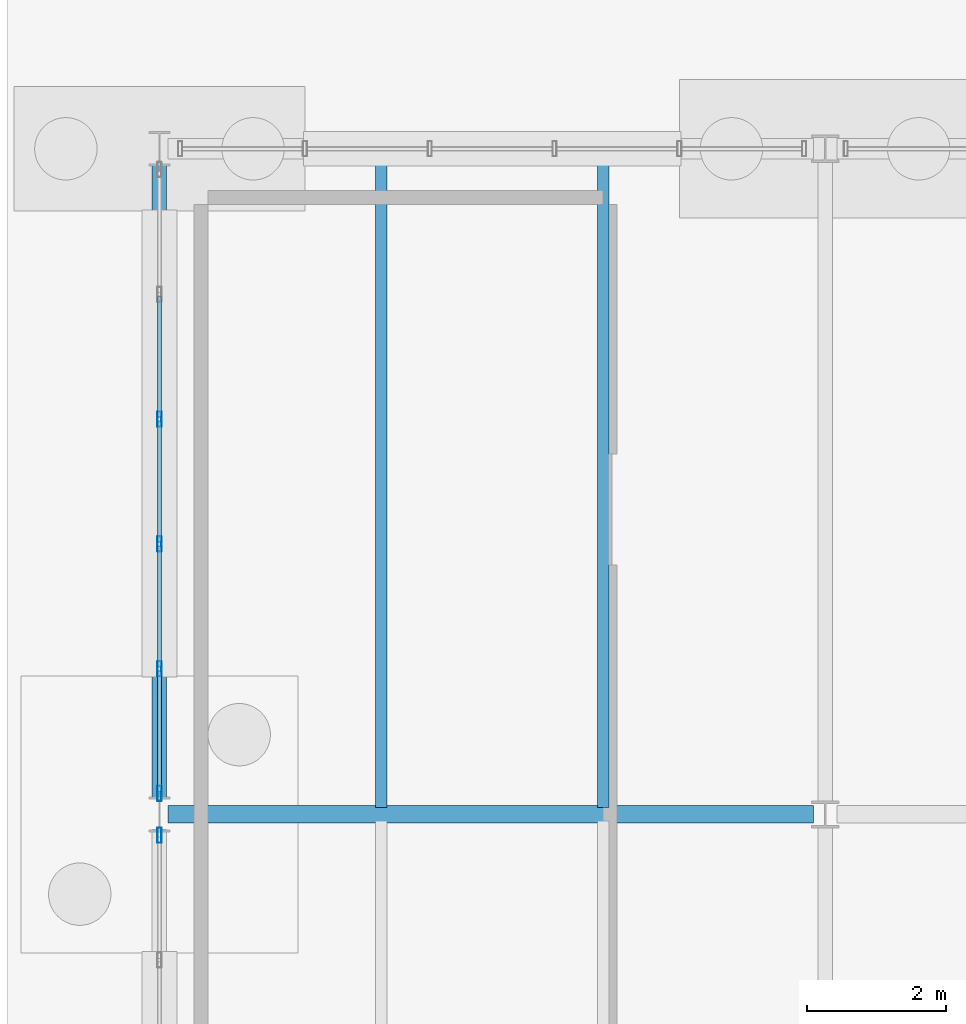
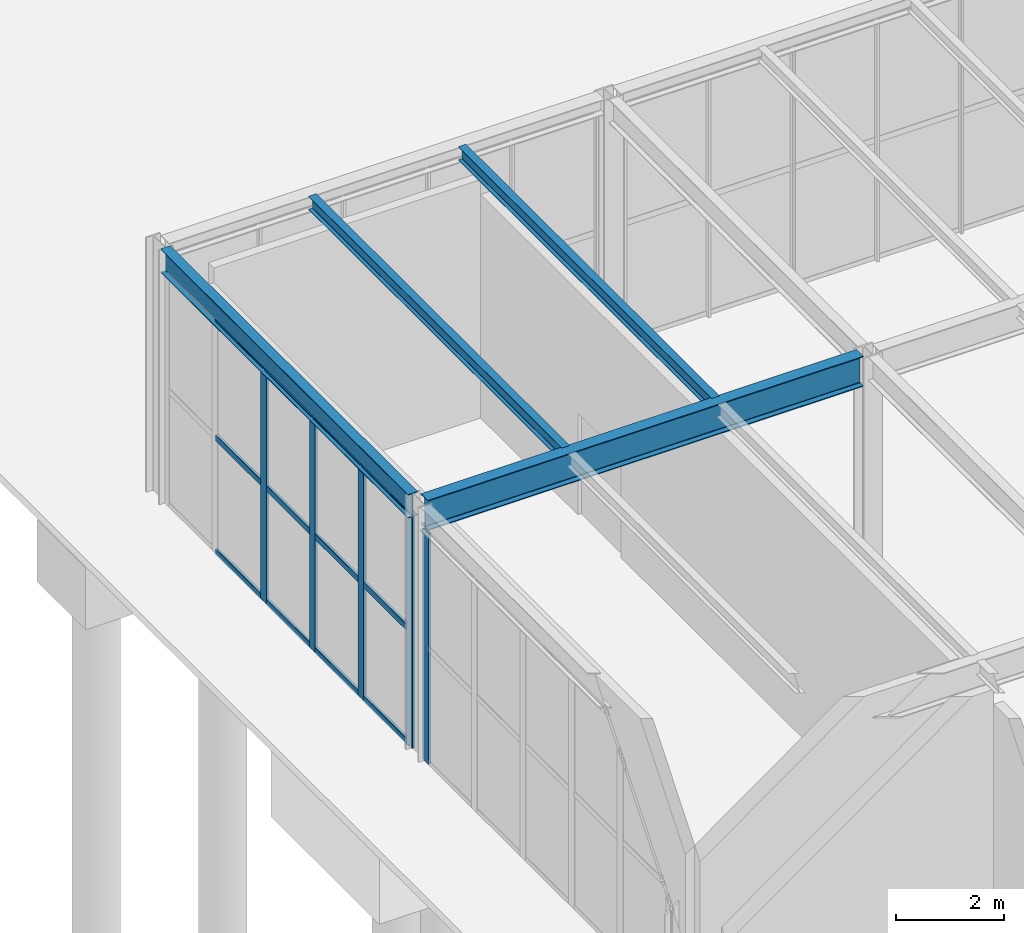
# One storey, part 51 of 142: 17 members, 4 beams, 2 elements without a shape of their own.
"""IFC4 building model written with IfcOpenShell, lengths in metres."""

from ifc_helpers import new_model, si_unit, direction, frame, origin, origin_2d, place, context, subcontext, project, spatial, hollow_rectangle, i_section, extrude, material, material_profile, profile_set, type_object, element, aggregate, save


model = new_model("IFC4")

# Units and contexts
model_context = context("Model", 3, precision=1e-05, world=origin(), true_north=direction((0.0, 1.0)))
body_context = subcontext(model_context, "Body", "Model", "MODEL_VIEW")
ifc_project = project(units=[si_unit("LENGTHUNIT", "METRE"), si_unit("AREAUNIT", "SQUARE_METRE"), si_unit("VOLUMEUNIT", "CUBIC_METRE"), si_unit("PLANEANGLEUNIT", "RADIAN"), si_unit("MASSUNIT", "GRAM", prefix="KILO")], contexts=[model_context])

# Site, building, storey
site_placement = place(None, origin())
site = spatial("IfcSite", under=ifc_project, at=site_placement, CompositionType="ELEMENT")
building_placement = place(site_placement, origin())
building = spatial("IfcBuilding", under=site, at=building_placement, Name="Coralgate Yard Interchange", CompositionType="ELEMENT")
storey_placement = place(building_placement, origin())
storey = spatial("IfcBuildingStorey", under=building, at=storey_placement, Name="L00", CompositionType="ELEMENT", Elevation=0.0)

# Beams
ifc_material_1 = material(Name="Structural steel S355J2", Category="steel")
ifc_material_profile_1 = material_profile(ifc_material_1, i_section(OverallWidth=0.209228515625, OverallDepth=0.533203125, WebThickness=0.010009765625, FlangeThickness=0.015625, FilletRadius=0.0126953125, at=origin_2d()), Name="UB 533x210x92")
ifc_profile_set_1 = profile_set([ifc_material_profile_1], Name="Structural steel S355J2")
beam_type_1 = type_object("IfcBeamType", Name="BM-SB-1", PredefinedType="BEAM", material=ifc_profile_set_1)
beam_1_placement = place(storey_placement, frame((0.0, 48.219970703125, 5.4833984375), z_axis=(0.0, 1.0, 0.0), x_axis=(-1.0, 0.0, 0.0)))
element("IfcBeam", 1, at=beam_1_placement, inside=storey, type_object=beam_type_1, Name="L00 primary grid girder X0 Y5-6", PredefinedType="BEAM", context=body_context, shape_type="SweptSolid", body=[
    extrude(i_section(OverallWidth=0.209228515625, OverallDepth=0.533203125, WebThickness=0.010009765625, FlangeThickness=0.015625, FilletRadius=0.0126953125, at=origin_2d()), origin(), (0.0, 0.0, 1.0), 9.159912109375),
])
ifc_material_profile_2 = material_profile(ifc_material_1, i_section(OverallWidth=0.253662109375, OverallDepth=0.68359375, WebThickness=0.012451171875, FlangeThickness=0.01904296875, FilletRadius=0.01513671875, at=origin_2d()), Name="UB 686x254x140")
ifc_profile_set_2 = profile_set([ifc_material_profile_2], Name="Structural steel S355J2")
beam_type_2 = type_object("IfcBeamType", Name="BM-SG-4", PredefinedType="BEAM", material=ifc_profile_set_2)
beam_2_placement = place(storey_placement, frame((0.1201171875, 48.0, 5.408203125), z_axis=(1.0, 0.0, 0.0), x_axis=(0.0, 1.0, 0.0)))
element("IfcBeam", 2, at=beam_2_placement, inside=storey, type_object=beam_type_2, Name="L00 primary grid beam Y5 X0-1", PredefinedType="BEAM", context=body_context, shape_type="SweptSolid", body=[
    extrude(i_section(OverallWidth=0.253662109375, OverallDepth=0.68359375, WebThickness=0.012451171875, FlangeThickness=0.01904296875, FilletRadius=0.01513671875, at=origin_2d()), origin(), (0.0, 0.0, 1.0), 9.310302734375),
])
ifc_material_profile_3 = material_profile(ifc_material_1, i_section(OverallWidth=0.1650390625, OverallDepth=0.303466796875, WebThickness=0.006103515625, FlangeThickness=0.01025390625, FilletRadius=0.0087890625, at=origin_2d()), Name="UB 305x165x40")
ifc_profile_set_3 = profile_set([ifc_material_profile_3], Name="Structural steel S355J2")
beam_type_3 = type_object("IfcBeamType", Name="BM-SJ-1", PredefinedType="JOIST", material=ifc_profile_set_3)
for number, where, z_axis, x_axis, name in (
    (3, (3.199951171875, 48.096923828125, 5.598388671875), (0.0, 1.0, 0.0), (-1.0, 0.0, 0.0), "L00 composite floor joist 0-5-1"),
    (4, (6.39990234375, 48.096923828125, 5.598388671875), (0.0, 1.0, 0.0), (-1.0, 0.0, 0.0), "L00 composite floor joist 0-5-2"),
):
    element("IfcBeam", number, at=place(storey_placement, frame(where, z_axis=z_axis, x_axis=x_axis)), inside=storey, type_object=beam_type_3, Name=name, PredefinedType="JOIST", context=body_context, shape_type="SweptSolid", body=[
        extrude(i_section(OverallWidth=0.1650390625, OverallDepth=0.303466796875, WebThickness=0.006103515625, FlangeThickness=0.01025390625, FilletRadius=0.0087890625, at=origin_2d()), origin(), (0.0, 0.0, 1.0), 9.383056640625),
    ])

# Curtain wall, member
ifc_material_2 = material(Name="Anodised coastal aluminium and solar-control low-E glass", Category="aluminium")
curtain_wall_type_1 = type_object("IfcCurtainWallType", Name="CW-CW-L00-B", PredefinedType="NOTDEFINED", material=ifc_material_2)
curtain_wall_1_placement = place(storey_placement, origin())
curtain_wall_1 = element("IfcCurtainWall", 5, at=curtain_wall_1_placement, inside=storey, type_object=curtain_wall_type_1, Name="L00 unitised curtain wall CW-L00-W-00-04", PredefinedType="NOTDEFINED")
ifc_material_3 = material(Name="Anodised coastal aluminium 6063-T6", Category="aluminium")
ifc_material_profile_4 = material_profile(ifc_material_3, hollow_rectangle(XDim=0.06005859375, YDim=0.219970703125, WallThickness=0.00390625, InnerFilletRadius=0.00390625, OuterFilletRadius=0.008056640625, at=origin_2d()), Name="ALU 60x220x4")
ifc_profile_set_4 = profile_set([ifc_material_profile_4], Name="Anodised coastal aluminium 6063-T6")
member_type_1 = type_object("IfcMemberType", Name="MB-MUL-220", PredefinedType="MULLION", material=ifc_profile_set_4)
member_1_placement = place(storey_placement, frame((0.0, 47.699951171875, 0.0), z_axis=(0.0, 0.0, 1.0), x_axis=(1.0, 0.0, 0.0)))
member_1 = element("IfcMember", 6, at=member_1_placement, type_object=member_type_1, Name="CW-L00-W-00-04 vertical mullion 6", PredefinedType="MULLION", context=body_context, shape_type="SweptSolid", body=[
    extrude(hollow_rectangle(XDim=0.06005859375, YDim=0.219970703125, WallThickness=0.00390625, InnerFilletRadius=0.00390625, OuterFilletRadius=0.008056640625, at=origin_2d()), origin(), (0.0, 0.0, 1.0), 5.216796875),
])
aggregate(curtain_wall_1, [member_1])

# Curtain wall, members
curtain_wall_type_2 = type_object("IfcCurtainWallType", Name="CW-CW-L00-A", PredefinedType="NOTDEFINED", material=ifc_material_2)
curtain_wall_2_placement = place(storey_placement, origin())
curtain_wall_2 = element("IfcCurtainWall", 7, at=curtain_wall_2_placement, inside=storey, type_object=curtain_wall_type_2, Name="L00 unitised curtain wall CW-L00-W-00-05", PredefinedType="NOTDEFINED")
member_2_placement = place(storey_placement, frame((0.0, 48.300048828125, 0.0), z_axis=(0.0, 0.0, 1.0), x_axis=(1.0, 0.0, 0.0)))
member_2 = element("IfcMember", 8, at=member_2_placement, type_object=member_type_1, Name="CW-L00-W-00-05 vertical mullion 1", PredefinedType="MULLION", context=body_context, shape_type="SweptSolid", body=[
    extrude(hollow_rectangle(XDim=0.06005859375, YDim=0.219970703125, WallThickness=0.00390625, InnerFilletRadius=0.00390625, OuterFilletRadius=0.008056640625, at=origin_2d()), origin(), (0.0, 0.0, 1.0), 5.216796875),
])
member_3_placement = place(storey_placement, frame((0.0, 50.10009765625, 0.0), z_axis=(0.0, 0.0, 1.0), x_axis=(1.0, 0.0, 0.0)))
member_3 = element("IfcMember", 9, at=member_3_placement, type_object=member_type_1, Name="CW-L00-W-00-05 vertical mullion 2", PredefinedType="MULLION", context=body_context, shape_type="SweptSolid", body=[
    extrude(hollow_rectangle(XDim=0.06005859375, YDim=0.219970703125, WallThickness=0.00390625, InnerFilletRadius=0.00390625, OuterFilletRadius=0.008056640625, at=origin_2d()), origin(), (0.0, 0.0, 1.0), 5.216796875),
])
member_4_placement = place(storey_placement, frame((0.0, 51.89990234375, 0.0), z_axis=(0.0, 0.0, 1.0), x_axis=(1.0, 0.0, 0.0)))
member_4 = element("IfcMember", 10, at=member_4_placement, type_object=member_type_1, Name="CW-L00-W-00-05 vertical mullion 3", PredefinedType="MULLION", context=body_context, shape_type="SweptSolid", body=[
    extrude(hollow_rectangle(XDim=0.06005859375, YDim=0.219970703125, WallThickness=0.00390625, InnerFilletRadius=0.00390625, OuterFilletRadius=0.008056640625, at=origin_2d()), origin(), (0.0, 0.0, 1.0), 5.216796875),
])
member_5_placement = place(storey_placement, frame((0.0, 53.699951171875, 0.0), z_axis=(0.0, 0.0, 1.0), x_axis=(1.0, 0.0, 0.0)))
member_5 = element("IfcMember", 11, at=member_5_placement, type_object=member_type_1, Name="CW-L00-W-00-05 vertical mullion 4", PredefinedType="MULLION", context=body_context, shape_type="SweptSolid", body=[
    extrude(hollow_rectangle(XDim=0.06005859375, YDim=0.219970703125, WallThickness=0.00390625, InnerFilletRadius=0.00390625, OuterFilletRadius=0.008056640625, at=origin_2d()), origin(), (0.0, 0.0, 1.0), 5.216796875),
])
ifc_material_profile_5 = material_profile(ifc_material_3, hollow_rectangle(XDim=0.06005859375, YDim=0.139892578125, WallThickness=0.00341796875, InnerFilletRadius=0.00341796875, OuterFilletRadius=0.007080078125, at=origin_2d()), Name="ALU 60x140x3.5")
ifc_profile_set_5 = profile_set([ifc_material_profile_5], Name="Anodised coastal aluminium 6063-T6")
member_type_2 = type_object("IfcMemberType", Name="MB-TRN-140", PredefinedType="USERDEFINED", material=ifc_profile_set_5)
member_6_placement = place(storey_placement, frame((0.0, 48.330078125, 0.034912109375), z_axis=(0.0, 1.0, 0.0), x_axis=(-1.0, 0.0, 0.0)))
member_6 = element("IfcMember", 12, at=member_6_placement, type_object=member_type_2, Name="CW-L00-W-00-05 horizontal transom 1-1", ObjectType="TRANSOM", PredefinedType="USERDEFINED", context=body_context, shape_type="SweptSolid", body=[
    extrude(hollow_rectangle(XDim=0.06005859375, YDim=0.139892578125, WallThickness=0.00341796875, InnerFilletRadius=0.00341796875, OuterFilletRadius=0.007080078125, at=origin_2d()), origin(), (0.0, 0.0, 1.0), 1.739990234375),
])
member_7_placement = place(storey_placement, frame((0.0, 48.330078125, 2.6083984375), z_axis=(0.0, 1.0, 0.0), x_axis=(-1.0, 0.0, 0.0)))
member_7 = element("IfcMember", 13, at=member_7_placement, type_object=member_type_2, Name="CW-L00-W-00-05 horizontal transom 1-2", ObjectType="TRANSOM", PredefinedType="USERDEFINED", context=body_context, shape_type="SweptSolid", body=[
    extrude(hollow_rectangle(XDim=0.06005859375, YDim=0.139892578125, WallThickness=0.00341796875, InnerFilletRadius=0.00341796875, OuterFilletRadius=0.007080078125, at=origin_2d()), origin(), (0.0, 0.0, 1.0), 1.739990234375),
])
member_8_placement = place(storey_placement, frame((0.0, 48.330078125, 5.181884765625), z_axis=(0.0, 1.0, 0.0), x_axis=(-1.0, 0.0, 0.0)))
member_8 = element("IfcMember", 14, at=member_8_placement, type_object=member_type_2, Name="CW-L00-W-00-05 horizontal transom 1-3", ObjectType="TRANSOM", PredefinedType="USERDEFINED", context=body_context, shape_type="SweptSolid", body=[
    extrude(hollow_rectangle(XDim=0.06005859375, YDim=0.139892578125, WallThickness=0.00341796875, InnerFilletRadius=0.00341796875, OuterFilletRadius=0.007080078125, at=origin_2d()), origin(), (0.0, 0.0, 1.0), 1.739990234375),
])
member_9_placement = place(storey_placement, frame((0.0, 50.1298828125, 0.034912109375), z_axis=(0.0, 1.0, 0.0), x_axis=(-1.0, 0.0, 0.0)))
member_9 = element("IfcMember", 15, at=member_9_placement, type_object=member_type_2, Name="CW-L00-W-00-05 horizontal transom 2-1", ObjectType="TRANSOM", PredefinedType="USERDEFINED", context=body_context, shape_type="SweptSolid", body=[
    extrude(hollow_rectangle(XDim=0.06005859375, YDim=0.139892578125, WallThickness=0.00341796875, InnerFilletRadius=0.00341796875, OuterFilletRadius=0.007080078125, at=origin_2d()), origin(), (0.0, 0.0, 1.0), 1.740234375),
])
member_10_placement = place(storey_placement, frame((0.0, 50.1298828125, 2.6083984375), z_axis=(0.0, 1.0, 0.0), x_axis=(-1.0, 0.0, 0.0)))
member_10 = element("IfcMember", 16, at=member_10_placement, type_object=member_type_2, Name="CW-L00-W-00-05 horizontal transom 2-2", ObjectType="TRANSOM", PredefinedType="USERDEFINED", context=body_context, shape_type="SweptSolid", body=[
    extrude(hollow_rectangle(XDim=0.06005859375, YDim=0.139892578125, WallThickness=0.00341796875, InnerFilletRadius=0.00341796875, OuterFilletRadius=0.007080078125, at=origin_2d()), origin(), (0.0, 0.0, 1.0), 1.740234375),
])
member_11_placement = place(storey_placement, frame((0.0, 50.1298828125, 5.181884765625), z_axis=(0.0, 1.0, 0.0), x_axis=(-1.0, 0.0, 0.0)))
member_11 = element("IfcMember", 17, at=member_11_placement, type_object=member_type_2, Name="CW-L00-W-00-05 horizontal transom 2-3", ObjectType="TRANSOM", PredefinedType="USERDEFINED", context=body_context, shape_type="SweptSolid", body=[
    extrude(hollow_rectangle(XDim=0.06005859375, YDim=0.139892578125, WallThickness=0.00341796875, InnerFilletRadius=0.00341796875, OuterFilletRadius=0.007080078125, at=origin_2d()), origin(), (0.0, 0.0, 1.0), 1.740234375),
])
member_12_placement = place(storey_placement, frame((0.0, 51.929931640625, 0.034912109375), z_axis=(0.0, 1.0, 0.0), x_axis=(-1.0, 0.0, 0.0)))
member_12 = element("IfcMember", 18, at=member_12_placement, type_object=member_type_2, Name="CW-L00-W-00-05 horizontal transom 3-1", ObjectType="TRANSOM", PredefinedType="USERDEFINED", context=body_context, shape_type="SweptSolid", body=[
    extrude(hollow_rectangle(XDim=0.06005859375, YDim=0.139892578125, WallThickness=0.00341796875, InnerFilletRadius=0.00341796875, OuterFilletRadius=0.007080078125, at=origin_2d()), origin(), (0.0, 0.0, 1.0), 1.739990234375),
])
member_13_placement = place(storey_placement, frame((0.0, 51.929931640625, 2.6083984375), z_axis=(0.0, 1.0, 0.0), x_axis=(-1.0, 0.0, 0.0)))
member_13 = element("IfcMember", 19, at=member_13_placement, type_object=member_type_2, Name="CW-L00-W-00-05 horizontal transom 3-2", ObjectType="TRANSOM", PredefinedType="USERDEFINED", context=body_context, shape_type="SweptSolid", body=[
    extrude(hollow_rectangle(XDim=0.06005859375, YDim=0.139892578125, WallThickness=0.00341796875, InnerFilletRadius=0.00341796875, OuterFilletRadius=0.007080078125, at=origin_2d()), origin(), (0.0, 0.0, 1.0), 1.739990234375),
])
member_14_placement = place(storey_placement, frame((0.0, 51.929931640625, 5.181884765625), z_axis=(0.0, 1.0, 0.0), x_axis=(-1.0, 0.0, 0.0)))
member_14 = element("IfcMember", 20, at=member_14_placement, type_object=member_type_2, Name="CW-L00-W-00-05 horizontal transom 3-3", ObjectType="TRANSOM", PredefinedType="USERDEFINED", context=body_context, shape_type="SweptSolid", body=[
    extrude(hollow_rectangle(XDim=0.06005859375, YDim=0.139892578125, WallThickness=0.00341796875, InnerFilletRadius=0.00341796875, OuterFilletRadius=0.007080078125, at=origin_2d()), origin(), (0.0, 0.0, 1.0), 1.739990234375),
])
member_15_placement = place(storey_placement, frame((0.0, 53.72998046875, 0.034912109375), z_axis=(0.0, 1.0, 0.0), x_axis=(-1.0, 0.0, 0.0)))
member_15 = element("IfcMember", 21, at=member_15_placement, type_object=member_type_2, Name="CW-L00-W-00-05 horizontal transom 4-1", ObjectType="TRANSOM", PredefinedType="USERDEFINED", context=body_context, shape_type="SweptSolid", body=[
    extrude(hollow_rectangle(XDim=0.06005859375, YDim=0.139892578125, WallThickness=0.00341796875, InnerFilletRadius=0.00341796875, OuterFilletRadius=0.007080078125, at=origin_2d()), origin(), (0.0, 0.0, 1.0), 1.739990234375),
])
member_16_placement = place(storey_placement, frame((0.0, 53.72998046875, 2.6083984375), z_axis=(0.0, 1.0, 0.0), x_axis=(-1.0, 0.0, 0.0)))
member_16 = element("IfcMember", 22, at=member_16_placement, type_object=member_type_2, Name="CW-L00-W-00-05 horizontal transom 4-2", ObjectType="TRANSOM", PredefinedType="USERDEFINED", context=body_context, shape_type="SweptSolid", body=[
    extrude(hollow_rectangle(XDim=0.06005859375, YDim=0.139892578125, WallThickness=0.00341796875, InnerFilletRadius=0.00341796875, OuterFilletRadius=0.007080078125, at=origin_2d()), origin(), (0.0, 0.0, 1.0), 1.739990234375),
])
member_17_placement = place(storey_placement, frame((0.0, 53.72998046875, 5.181884765625), z_axis=(0.0, 1.0, 0.0), x_axis=(-1.0, 0.0, 0.0)))
member_17 = element("IfcMember", 23, at=member_17_placement, type_object=member_type_2, Name="CW-L00-W-00-05 horizontal transom 4-3", ObjectType="TRANSOM", PredefinedType="USERDEFINED", context=body_context, shape_type="SweptSolid", body=[
    extrude(hollow_rectangle(XDim=0.06005859375, YDim=0.139892578125, WallThickness=0.00341796875, InnerFilletRadius=0.00341796875, OuterFilletRadius=0.007080078125, at=origin_2d()), origin(), (0.0, 0.0, 1.0), 1.739990234375),
])
aggregate(curtain_wall_2, [member_2, member_3, member_4, member_5, member_6, member_7, member_8, member_9, member_10, member_11, member_12, member_13, member_14, member_15, member_16, member_17])

save(model, "model.ifc")
